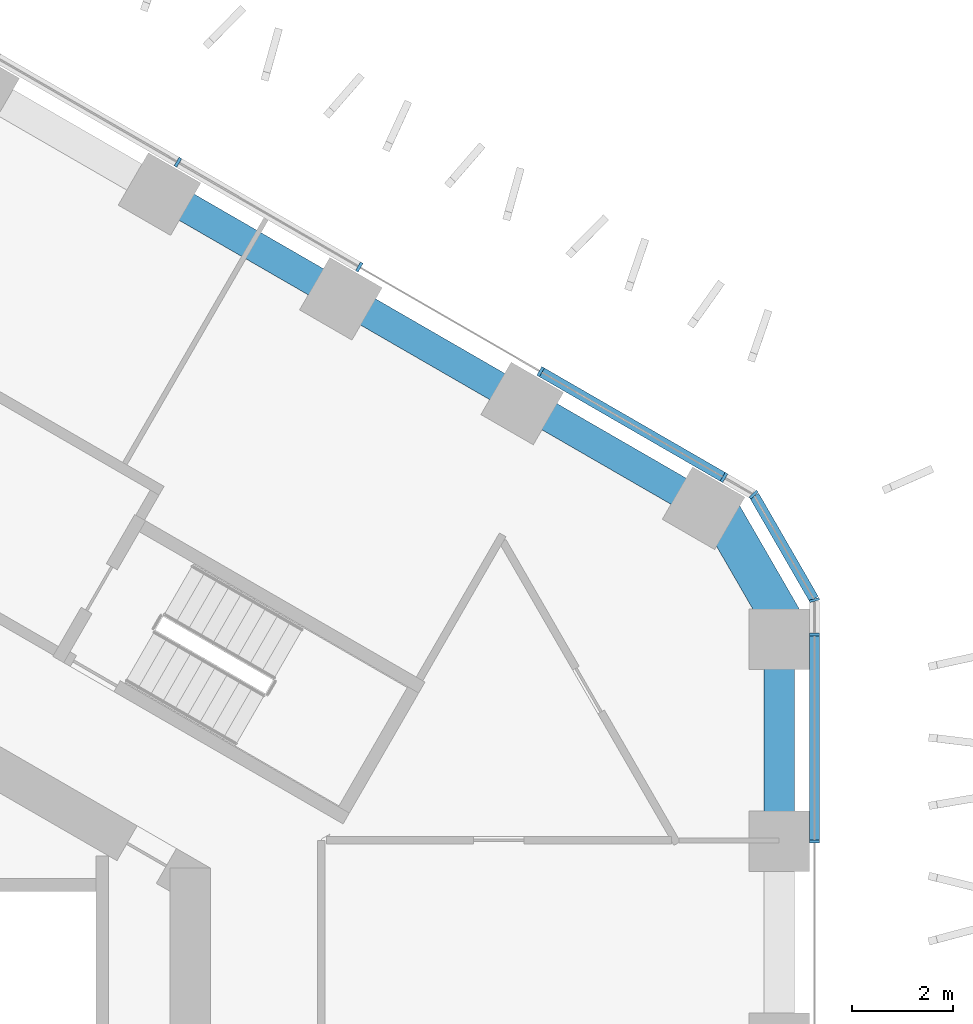
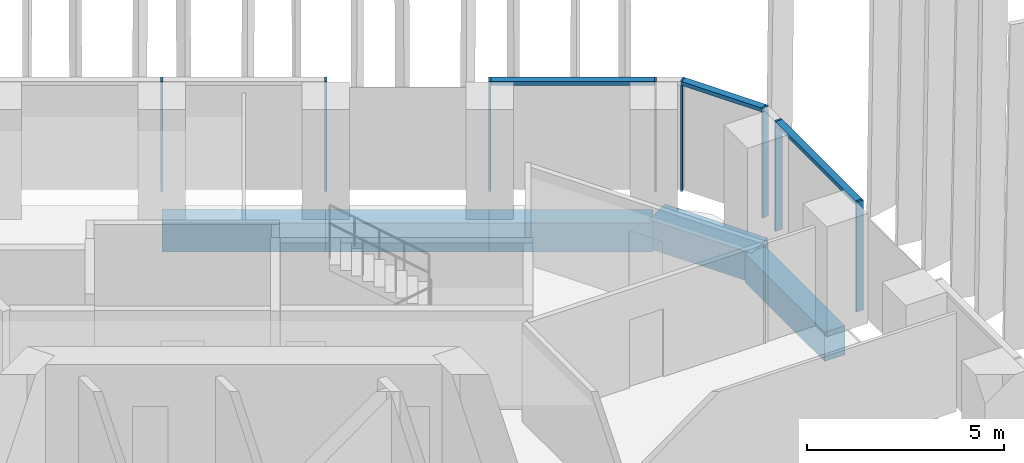
# One storey, part 7 of 20: 11 members, 5 beams, 3 elements without a shape of their own.
"""IFC4 building model written with IfcOpenShell, lengths in metres."""

from ifc_helpers import new_model, si_unit, direction, frame, origin, origin_2d, place, context, subcontext, project, spatial, rectangle, extrude, material, layer, layer_set, material_profile, profile_set, type_object, element, aggregate, save


model = new_model("IFC4")

# Units and contexts
model_context = context("Model", 3, precision=1e-05, world=origin(), true_north=direction((0.0, 1.0)))
body_context = subcontext(model_context, "Body", "Model", "MODEL_VIEW")
ifc_project = project(units=[si_unit("LENGTHUNIT", "METRE"), si_unit("AREAUNIT", "SQUARE_METRE"), si_unit("VOLUMEUNIT", "CUBIC_METRE"), si_unit("PLANEANGLEUNIT", "RADIAN"), si_unit("MASSUNIT", "GRAM", prefix="KILO")], contexts=[model_context])

# Site, building, storey
site_placement = place(None, origin())
site = spatial("IfcSite", under=ifc_project, at=site_placement, CompositionType="ELEMENT")
building_placement = place(site_placement, origin())
building = spatial("IfcBuilding", under=site, at=building_placement, Name="Ayvan Gate Tower", CompositionType="ELEMENT")
storey_placement = place(building_placement, frame((0.0, 0.0, 35.699951171875)))
storey = spatial("IfcBuildingStorey", under=building, at=storey_placement, Name="L08", CompositionType="ELEMENT", Elevation=35.699951171875)

# Beams
ifc_material_1 = material(Name="Concrete C40/50", Category="concrete")
ifc_material_profile_1 = material_profile(ifc_material_1, rectangle(XDim=0.800048828125, YDim=0.89990234375, at=origin_2d()), Name="RC 800x900")
ifc_profile_set_1 = profile_set([ifc_material_profile_1], Name="Concrete C40/50")
beam_type_1 = type_object("IfcBeamType", Name="Corner spandrel beam RC 800x900 C40/50", PredefinedType="BEAM", material=ifc_profile_set_1)
beam_1_placement = place(storey_placement, frame((20.97509765625, 10.1884765625, -0.800048828125), z_axis=(-0.499990139034, 0.866031096941, 0.0), x_axis=(-0.866031096941, -0.499990139034, 0.0)))
element("IfcBeam", 1, at=beam_1_placement, inside=storey, type_object=beam_type_1, Name="SB-L08-6", PredefinedType="BEAM", context=body_context, shape_type="SweptSolid", body=[
    extrude(rectangle(XDim=0.800048828125, YDim=0.89990234375, at=origin_2d()), origin(), (0.0, 0.0, 1.0), 3.0),
])
ifc_material_profile_2 = material_profile(ifc_material_1, rectangle(XDim=0.60009765625, YDim=0.89990234375, at=origin_2d()), Name="RC 600x900")
ifc_profile_set_2 = profile_set([ifc_material_profile_2], Name="Concrete C40/50")
beam_type_2 = type_object("IfcBeamType", Name="Spandrel beam RC 600x900 C40/50", PredefinedType="BEAM", material=ifc_profile_set_2)
beam_2_placement = place(storey_placement, frame((20.78466796875, 6.047119140625, -0.800048828125), z_axis=(0.0, 1.0, 0.0), x_axis=(-1.0, 0.0, 0.0)))
element("IfcBeam", 2, at=beam_2_placement, inside=storey, type_object=beam_type_2, Name="SB-L08-5", PredefinedType="BEAM", context=body_context, shape_type="SweptSolid", body=[
    extrude(rectangle(XDim=0.60009765625, YDim=0.89990234375, at=origin_2d()), origin(), (0.0, 0.0, 1.0), 4.03125),
])
beam_3_placement = place(storey_placement, frame((19.28466796875, 12.676513671875, -0.800048828125), z_axis=(-0.866034543039, 0.499984170012, 0.0), x_axis=(-0.499984170012, -0.866034543039, 0.0)))
element("IfcBeam", 3, at=beam_3_placement, inside=storey, type_object=beam_type_2, Name="SB-L08-7", PredefinedType="BEAM", context=body_context, shape_type="SweptSolid", body=[
    extrude(rectangle(XDim=0.60009765625, YDim=0.89990234375, at=origin_2d()), origin(), (0.0, 0.0, 1.0), 4.145263671875),
])
beam_4_placement = place(storey_placement, frame((15.69482421875, 14.7490234375, -0.800048828125), z_axis=(-0.866019818373, 0.500009674092, 0.0), x_axis=(-0.500009674092, -0.866019818373, 0.0)))
element("IfcBeam", 4, at=beam_4_placement, inside=storey, type_object=beam_type_2, Name="SB-L08-8", PredefinedType="BEAM", context=body_context, shape_type="SweptSolid", body=[
    extrude(rectangle(XDim=0.60009765625, YDim=0.89990234375, at=origin_2d()), origin(), (0.0, 0.0, 1.0), 4.14501953125),
])
beam_5_placement = place(storey_placement, frame((12.105224609375, 16.821533203125, -0.800048828125), z_axis=(-0.866009039668, 0.500028342409, 0.0), x_axis=(-0.500028342409, -0.866009039668, 0.0)))
element("IfcBeam", 5, at=beam_5_placement, inside=storey, type_object=beam_type_2, Name="SB-L08-9", PredefinedType="BEAM", context=body_context, shape_type="SweptSolid", body=[
    extrude(rectangle(XDim=0.60009765625, YDim=0.89990234375, at=origin_2d()), origin(), (0.0, 0.0, 1.0), 4.145263671875),
])

# Curtain wall, members
ifc_material_2 = material(Name="Bronze anodised aluminium", Category="aluminium")
ifc_layer_1 = layer(ifc_material_2, 0.199951171875)
ifc_layer_set_1 = layer_set([ifc_layer_1], Name="Bronze anodised aluminium")
curtain_wall_type_1 = type_object("IfcCurtainWallType", Name="Stick curtain wall CW-1", PredefinedType="NOTDEFINED", material=ifc_layer_set_1)
curtain_wall_1_placement = place(storey_placement, origin())
curtain_wall_1 = element("IfcCurtainWall", 6, at=curtain_wall_1_placement, inside=storey, type_object=curtain_wall_type_1, Name="Stick curtain wall CW-1 L08", PredefinedType="NOTDEFINED")
ifc_material_profile_3 = material_profile(ifc_material_2, rectangle(XDim=0.199951171875, YDim=0.06005859375, at=origin_2d()), Name="Stick curtain wall CW-1 mullion 200 x 60")
ifc_profile_set_3 = profile_set([ifc_material_profile_3], Name="Bronze anodised aluminium")
member_type_1 = type_object("IfcMemberType", Name="Stick curtain wall CW-1 mullion 200 x 60", PredefinedType="MULLION", material=ifc_profile_set_3)
member_1_placement = place(storey_placement, frame((21.484619140625, 6.016357421875, 0.0), z_axis=(0.0, 0.0, 1.0), x_axis=(1.0, 0.0, 0.0)))
member_1 = element("IfcMember", 7, at=member_1_placement, type_object=member_type_1, Name="CW-1 mullion 5", PredefinedType="MULLION", context=body_context, shape_type="SweptSolid", body=[
    extrude(rectangle(XDim=0.199951171875, YDim=0.06005859375, at=origin_2d()), origin(), (0.0, 0.0, 1.0), 3.400146484375),
])
member_2_placement = place(storey_placement, frame((21.484619140625, 10.12451171875, 0.0), z_axis=(0.0, 0.0, 1.0), x_axis=(1.0, 0.0, 0.0)))
member_2 = element("IfcMember", 8, at=member_2_placement, type_object=member_type_1, Name="CW-1 mullion 6", PredefinedType="MULLION", context=body_context, shape_type="SweptSolid", body=[
    extrude(rectangle(XDim=0.199951171875, YDim=0.06005859375, at=origin_2d()), origin(), (0.0, 0.0, 1.0), 3.400146484375),
])

curtain_wall_2_placement = place(storey_placement, origin())
curtain_wall_2 = element("IfcCurtainWall", 9, at=curtain_wall_2_placement, inside=storey, type_object=curtain_wall_type_1, Name="Stick curtain wall CW-1 L08", PredefinedType="NOTDEFINED")
member_3_placement = place(storey_placement, frame((19.6884765625, 13.235595703125, 0.0), z_axis=(0.0, 0.0, 1.0), x_axis=(0.5, 0.866025403784, 0.0)))
member_3 = element("IfcMember", 10, at=member_3_placement, type_object=member_type_1, Name="CW-1 mullion 1", PredefinedType="MULLION", context=body_context, shape_type="SweptSolid", body=[
    extrude(rectangle(XDim=0.199951171875, YDim=0.06005859375, at=origin_2d()), origin(), (0.0, 0.0, 1.0), 3.400146484375),
])
member_4_placement = place(storey_placement, frame((16.051025390625, 15.335693359375, 0.0), z_axis=(0.0, 0.0, 1.0), x_axis=(0.5, 0.866025403784, 0.0)))
member_4 = element("IfcMember", 11, at=member_4_placement, type_object=member_type_1, Name="CW-1 mullion 2", PredefinedType="MULLION", context=body_context, shape_type="SweptSolid", body=[
    extrude(rectangle(XDim=0.199951171875, YDim=0.06005859375, at=origin_2d()), origin(), (0.0, 0.0, 1.0), 3.400146484375),
])
member_5_placement = place(storey_placement, frame((12.452880859375, 17.4130859375, 0.0), z_axis=(0.0, 0.0, 1.0), x_axis=(0.5, 0.866025403784, 0.0)))
member_5 = element("IfcMember", 12, at=member_5_placement, type_object=member_type_1, Name="CW-1 mullion 3", PredefinedType="MULLION", context=body_context, shape_type="SweptSolid", body=[
    extrude(rectangle(XDim=0.199951171875, YDim=0.06005859375, at=origin_2d()), origin(), (0.0, 0.0, 1.0), 3.400146484375),
])
member_6_placement = place(storey_placement, frame((8.8544921875, 19.490478515625, 0.0), z_axis=(0.0, 0.0, 1.0), x_axis=(0.5, 0.866025403784, 0.0)))
member_6 = element("IfcMember", 13, at=member_6_placement, type_object=member_type_1, Name="CW-1 mullion 4", PredefinedType="MULLION", context=body_context, shape_type="SweptSolid", body=[
    extrude(rectangle(XDim=0.199951171875, YDim=0.06005859375, at=origin_2d()), origin(), (0.0, 0.0, 1.0), 3.400146484375),
])

# Member
ifc_material_profile_4 = material_profile(ifc_material_2, rectangle(XDim=0.199951171875, YDim=0.1201171875, at=origin_2d()), Name="Stick curtain wall CW-1 transom 200 x 120")
ifc_profile_set_4 = profile_set([ifc_material_profile_4], Name="Bronze anodised aluminium")
member_type_2 = type_object("IfcMemberType", Name="Stick curtain wall CW-1 transom 200 x 120", PredefinedType="USERDEFINED", material=ifc_profile_set_4)
member_7_placement = place(storey_placement, frame((21.484619140625, 6.04638671875, 3.340087890625), z_axis=(0.0, 1.0, 0.0), x_axis=(-1.0, 0.0, 0.0)))
member_7 = element("IfcMember", 14, at=member_7_placement, type_object=member_type_2, Name="CW-1 transom 2", ObjectType="TRANSOM", PredefinedType="USERDEFINED", context=body_context, shape_type="SweptSolid", body=[
    extrude(rectangle(XDim=0.199951171875, YDim=0.1201171875, at=origin_2d()), origin(), (0.0, 0.0, 1.0), 4.078125),
])

aggregate(curtain_wall_1, [member_1, member_2, member_7])

member_8_placement = place(storey_placement, frame((19.6884765625, 13.235595703125, 3.340087890625), z_axis=(-0.866029591389, 0.499992746786, 0.0), x_axis=(-0.499992746786, -0.866029591389, 0.0)))
member_8 = element("IfcMember", 15, at=member_8_placement, type_object=member_type_2, Name="CW-1 transom 1", ObjectType="TRANSOM", PredefinedType="USERDEFINED", context=body_context, shape_type="SweptSolid", body=[
    extrude(rectangle(XDim=0.199951171875, YDim=0.1201171875, at=origin_2d()), origin(), (0.0, 0.0, 1.0), 4.169921875),
])

aggregate(curtain_wall_2, [member_3, member_4, member_5, member_6, member_8])

# Curtain wall, members
ifc_layer_2 = layer(ifc_material_2, 0.199951171875)
ifc_layer_set_2 = layer_set([ifc_layer_2], Name="Bronze anodised aluminium")
curtain_wall_type_2 = type_object("IfcCurtainWallType", Name="Stick curtain wall CW-6", PredefinedType="NOTDEFINED", material=ifc_layer_set_2)
curtain_wall_3_placement = place(storey_placement, origin())
curtain_wall_3 = element("IfcCurtainWall", 16, at=curtain_wall_3_placement, inside=storey, type_object=curtain_wall_type_2, Name="Stick curtain wall CW-6 L08", PredefinedType="NOTDEFINED")
ifc_material_profile_5 = material_profile(ifc_material_2, rectangle(XDim=0.199951171875, YDim=0.050048828125, at=origin_2d()), Name="Stick curtain wall CW-6 mullion 200 x 50")
ifc_profile_set_5 = profile_set([ifc_material_profile_5], Name="Bronze anodised aluminium")
member_type_3 = type_object("IfcMemberType", Name="Stick curtain wall CW-6 mullion 200 x 50", PredefinedType="MULLION", material=ifc_profile_set_5)
member_9_placement = place(storey_placement, frame((21.484619140625, 10.804443359375, 0.0), z_axis=(0.0, 0.0, 1.0), x_axis=(0.965925826289, 0.258819045103, 0.0)))
member_9 = element("IfcMember", 17, at=member_9_placement, type_object=member_type_3, Name="CW-6 mullion 2", PredefinedType="MULLION", context=body_context, shape_type="SweptSolid", body=[
    extrude(rectangle(XDim=0.199951171875, YDim=0.050048828125, at=origin_2d()), origin(), (0.0, 0.0, 1.0), 3.400146484375),
])
member_10_placement = place(storey_placement, frame((20.27734375, 12.8955078125, 0.0), z_axis=(0.0, 0.0, 1.0), x_axis=(0.707106781187, 0.707106781187, 0.0)))
member_10 = element("IfcMember", 18, at=member_10_placement, type_object=member_type_3, Name="CW-6 mullion 3", PredefinedType="MULLION", context=body_context, shape_type="SweptSolid", body=[
    extrude(rectangle(XDim=0.199951171875, YDim=0.050048828125, at=origin_2d()), origin(), (0.0, 0.0, 1.0), 3.400146484375),
])
ifc_material_profile_6 = material_profile(ifc_material_2, rectangle(XDim=0.199951171875, YDim=0.1201171875, at=origin_2d()), Name="Stick curtain wall CW-6 transom 200 x 120")
ifc_profile_set_6 = profile_set([ifc_material_profile_6], Name="Bronze anodised aluminium")
member_type_4 = type_object("IfcMemberType", Name="Stick curtain wall CW-6 transom 200 x 120", PredefinedType="USERDEFINED", material=ifc_profile_set_6)
member_11_placement = place(storey_placement, frame((21.47216796875, 10.826171875, 3.340087890625), z_axis=(-0.500014398087, 0.866017090885, 0.0), x_axis=(-0.866017090885, -0.500014398087, 0.0)))
member_11 = element("IfcMember", 19, at=member_11_placement, type_object=member_type_4, Name="CW-6 transom 2", ObjectType="TRANSOM", PredefinedType="USERDEFINED", context=body_context, shape_type="SweptSolid", body=[
    extrude(rectangle(XDim=0.199951171875, YDim=0.1201171875, at=origin_2d()), origin(), (0.0, 0.0, 1.0), 2.36474609375),
])
aggregate(curtain_wall_3, [member_9, member_10, member_11])

save(model, "model.ifc")
